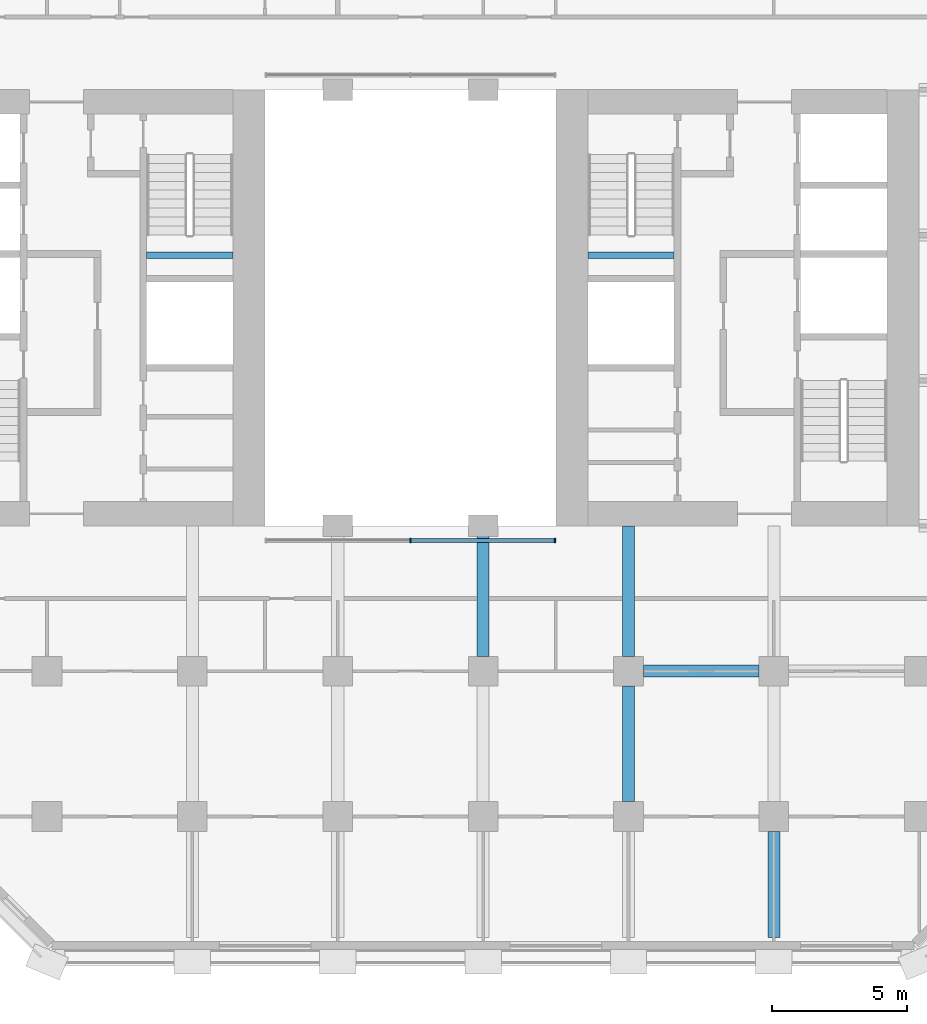
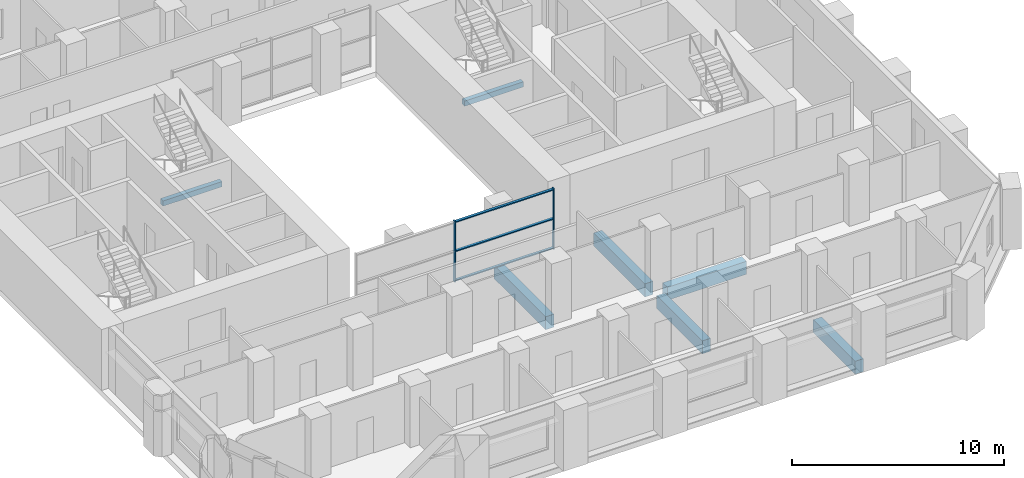
# One storey, part 4 of 14: 7 beams, 5 members, 1 element without a shape of its own.
"""IFC4 building model written with IfcOpenShell, lengths in metres."""

from ifc_helpers import new_model, si_unit, direction, frame, origin, origin_2d, place, context, subcontext, project, spatial, rectangle, extrude, material, material_profile, profile_set, type_object, element, aggregate, save


model = new_model("IFC4")

# Units and contexts
model_context = context("Model", 3, precision=1e-05, world=origin(), true_north=direction((0.0, 1.0)))
body_context = subcontext(model_context, "Body", "Model", "MODEL_VIEW")
ifc_project = project(units=[si_unit("LENGTHUNIT", "METRE"), si_unit("AREAUNIT", "SQUARE_METRE"), si_unit("VOLUMEUNIT", "CUBIC_METRE"), si_unit("PLANEANGLEUNIT", "RADIAN"), si_unit("MASSUNIT", "GRAM", prefix="KILO")], contexts=[model_context])

# Site, building, storey
site_placement = place(None, origin())
site = spatial("IfcSite", under=ifc_project, at=site_placement, CompositionType="ELEMENT")
building_placement = place(site_placement, origin())
building = spatial("IfcBuilding", under=site, at=building_placement, Name="Tabaq Tower and Sports Hall", CompositionType="ELEMENT")
storey_placement = place(building_placement, frame((0.0, 0.0, 52.60009765625)))
storey = spatial("IfcBuildingStorey", under=building, at=storey_placement, Name="L11", CompositionType="ELEMENT", Elevation=52.60009765625)

# Curtain wall, members
ifc_material_1 = material(Name="Aluminium alloy 6063-T6 framed glazing", Category="aluminium")
curtain_wall_type = type_object("IfcCurtainWallType", Name="CW1 curtain wall", PredefinedType="USERDEFINED", material=ifc_material_1)
curtain_wall_placement = place(storey_placement, origin())
curtain_wall = element("IfcCurtainWall", 1, at=curtain_wall_placement, inside=storey, type_object=curtain_wall_type, Name="Atrium glazing L11 S", ObjectType="ATRIUM ENCLOSURE", PredefinedType="USERDEFINED")
ifc_material_2 = material(Name="Aluminium alloy 6063-T6", Category="aluminium")
ifc_material_profile_1 = material_profile(ifc_material_2, rectangle(XDim=0.159912109375, YDim=0.06005859375, at=origin_2d()), Name="MULLION 160x60")
ifc_profile_set_1 = profile_set([ifc_material_profile_1], Name="Aluminium alloy 6063-T6")
member_type_1 = type_object("IfcMemberType", Name="CW1 mullion 160x60", PredefinedType="MULLION", material=ifc_profile_set_1)
member_1_placement = place(storey_placement, frame((24.300048828125, 15.64990234375, 0.0), z_axis=(0.0, 0.0, 1.0), x_axis=(0.0, 1.0, 0.0)))
member_1 = element("IfcMember", 2, at=member_1_placement, type_object=member_type_1, Name="CW1 mullion 2", PredefinedType="MULLION", context=body_context, shape_type="SweptSolid", body=[
    extrude(rectangle(XDim=0.159912109375, YDim=0.06005859375, at=origin_2d()), origin(), (0.0, 0.0, 1.0), 3.5),
])
member_2_placement = place(storey_placement, frame((29.669921875, 15.64990234375, 0.0), z_axis=(0.0, 0.0, 1.0), x_axis=(0.0, 1.0, 0.0)))
member_2 = element("IfcMember", 3, at=member_2_placement, type_object=member_type_1, Name="CW1 mullion 3", PredefinedType="MULLION", context=body_context, shape_type="SweptSolid", body=[
    extrude(rectangle(XDim=0.159912109375, YDim=0.06005859375, at=origin_2d()), origin(), (0.0, 0.0, 1.0), 3.5),
])
ifc_material_3 = material(Name="Aluminium alloy 6063-T6", Category="aluminium")
ifc_material_profile_2 = material_profile(ifc_material_3, rectangle(XDim=0.139892578125, YDim=0.06005859375, at=origin_2d()), Name="TRANSOM 140x60")
ifc_profile_set_2 = profile_set([ifc_material_profile_2], Name="Aluminium alloy 6063-T6")
member_type_2 = type_object("IfcMemberType", Name="CW1 transom 140x60", PredefinedType="USERDEFINED", material=ifc_profile_set_2)
member_3_placement = place(storey_placement, frame((24.330078125, 15.64990234375, 0.06982421875), z_axis=(1.0, 0.0, 0.0), x_axis=(0.0, 1.0, 0.0)))
member_3 = element("IfcMember", 4, at=member_3_placement, type_object=member_type_2, Name="CW1 transom 2.1", ObjectType="TRANSOM", PredefinedType="USERDEFINED", context=body_context, shape_type="SweptSolid", body=[
    extrude(rectangle(XDim=0.139892578125, YDim=0.06005859375, at=origin_2d()), origin(), (0.0, 0.0, 1.0), 5.309814453125),
])
member_4_placement = place(storey_placement, frame((24.330078125, 15.64990234375, 1.75), z_axis=(1.0, 0.0, 0.0), x_axis=(0.0, 1.0, 0.0)))
member_4 = element("IfcMember", 5, at=member_4_placement, type_object=member_type_2, Name="CW1 transom 2.2", ObjectType="TRANSOM", PredefinedType="USERDEFINED", context=body_context, shape_type="SweptSolid", body=[
    extrude(rectangle(XDim=0.139892578125, YDim=0.06005859375, at=origin_2d()), origin(), (0.0, 0.0, 1.0), 5.309814453125),
])
member_5_placement = place(storey_placement, frame((24.330078125, 15.64990234375, 3.429931640625), z_axis=(1.0, 0.0, 0.0), x_axis=(0.0, 1.0, 0.0)))
member_5 = element("IfcMember", 6, at=member_5_placement, type_object=member_type_2, Name="CW1 transom 2.3", ObjectType="TRANSOM", PredefinedType="USERDEFINED", context=body_context, shape_type="SweptSolid", body=[
    extrude(rectangle(XDim=0.139892578125, YDim=0.06005859375, at=origin_2d()), origin(), (0.0, 0.0, 1.0), 5.309814453125),
])
aggregate(curtain_wall, [member_1, member_2, member_3, member_4, member_5])

# Beams
ifc_material_4 = material(Name="Concrete C40/50", Category="concrete")
ifc_material_profile_3 = material_profile(ifc_material_4, rectangle(XDim=0.449951171875, YDim=0.75, at=origin_2d()), Name="CB 450x750")
ifc_profile_set_3 = profile_set([ifc_material_profile_3], Name="Concrete C40/50")
beam_type_1 = type_object("IfcBeamType", Name="PT CANTILEVER BEAM CB 450x750 C40/50", PredefinedType="BEAM", material=ifc_profile_set_3)
beam_1_placement = place(storey_placement, frame((37.25, 10.800048828125, -0.675048828125), z_axis=(-1.0, 0.0, 0.0), x_axis=(0.0, -1.0, 0.0)))
element("IfcBeam", 7, at=beam_1_placement, inside=storey, type_object=beam_type_1, Name="Cantilever Beam L11 E2 span 3", PredefinedType="BEAM", context=body_context, shape_type="SweptSolid", body=[
    extrude(rectangle(XDim=0.449951171875, YDim=0.75, at=origin_2d()), origin(), (0.0, 0.0, 1.0), 4.300048828125),
])
beam_2_placement = place(storey_placement, frame((27.0, 11.35009765625, -0.675048828125), z_axis=(0.0, 1.0, 0.0), x_axis=(-1.0, 0.0, 0.0)))
element("IfcBeam", 8, at=beam_2_placement, inside=storey, type_object=beam_type_1, Name="Cantilever Beam L11 S5 span 3", PredefinedType="BEAM", context=body_context, shape_type="SweptSolid", body=[
    extrude(rectangle(XDim=0.449951171875, YDim=0.75, at=origin_2d()), origin(), (0.0, 0.0, 1.0), 4.849853515625),
])
beam_3_placement = place(storey_placement, frame((32.39990234375, 5.949951171875, -0.675048828125), z_axis=(0.0, 1.0, 0.0), x_axis=(-1.0, 0.0, 0.0)))
element("IfcBeam", 9, at=beam_3_placement, inside=storey, type_object=beam_type_1, Name="Cantilever Beam L11 S6 span 2", PredefinedType="BEAM", context=body_context, shape_type="SweptSolid", body=[
    extrude(rectangle(XDim=0.449951171875, YDim=0.75, at=origin_2d()), origin(), (0.0, 0.0, 1.0), 4.300048828125),
])
beam_4_placement = place(storey_placement, frame((32.39990234375, 11.35009765625, -0.675048828125), z_axis=(0.0, 1.0, 0.0), x_axis=(-1.0, 0.0, 0.0)))
element("IfcBeam", 10, at=beam_4_placement, inside=storey, type_object=beam_type_1, Name="Cantilever Beam L11 S6 span 3", PredefinedType="BEAM", context=body_context, shape_type="SweptSolid", body=[
    extrude(rectangle(XDim=0.449951171875, YDim=0.75, at=origin_2d()), origin(), (0.0, 0.0, 1.0), 4.849853515625),
])
beam_5_placement = place(storey_placement, frame((37.800048828125, 0.89990234375, -0.675048828125), z_axis=(0.0, 1.0, 0.0), x_axis=(-1.0, 0.0, 0.0)))
element("IfcBeam", 11, at=beam_5_placement, inside=storey, type_object=beam_type_1, Name="Cantilever Beam L11 S7 span 1", PredefinedType="BEAM", context=body_context, shape_type="SweptSolid", body=[
    extrude(rectangle(XDim=0.449951171875, YDim=0.75, at=origin_2d()), origin(), (0.0, 0.0, 1.0), 3.9501953125),
])
ifc_material_5 = material(Name="Concrete C40/50", Category="concrete")
ifc_material_profile_4 = material_profile(ifc_material_5, rectangle(XDim=0.25, YDim=0.300048828125, at=origin_2d()), Name="RC 250x300")
ifc_profile_set_4 = profile_set([ifc_material_profile_4], Name="Concrete C40/50")
beam_type_2 = type_object("IfcBeamType", Name="Stair landing beam 250x300", PredefinedType="BEAM", material=ifc_profile_set_4)
beam_6_placement = place(storey_placement, frame((14.5, 26.25, 1.5498046875), z_axis=(1.0, 0.0, 0.0), x_axis=(0.0, 1.0, 0.0)))
element("IfcBeam", 12, at=beam_6_placement, inside=storey, type_object=beam_type_2, Name="L11 ST2 landing beam 1", PredefinedType="BEAM", context=body_context, shape_type="SweptSolid", body=[
    extrude(rectangle(XDim=0.25, YDim=0.300048828125, at=origin_2d()), origin(), (0.0, 0.0, 1.0), 3.199951171875),
])
beam_7_placement = place(storey_placement, frame((30.89990234375, 26.25, 1.5498046875), z_axis=(1.0, 0.0, 0.0), x_axis=(0.0, 1.0, 0.0)))
element("IfcBeam", 13, at=beam_7_placement, inside=storey, type_object=beam_type_2, Name="L11 ST4 landing beam 1", PredefinedType="BEAM", context=body_context, shape_type="SweptSolid", body=[
    extrude(rectangle(XDim=0.25, YDim=0.300048828125, at=origin_2d()), origin(), (0.0, 0.0, 1.0), 3.2001953125),
])

save(model, "model.ifc")
